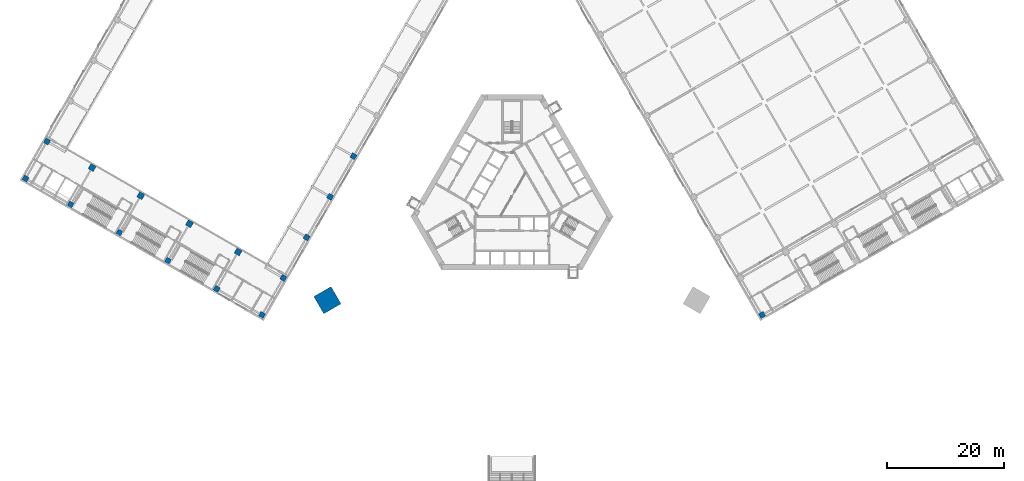
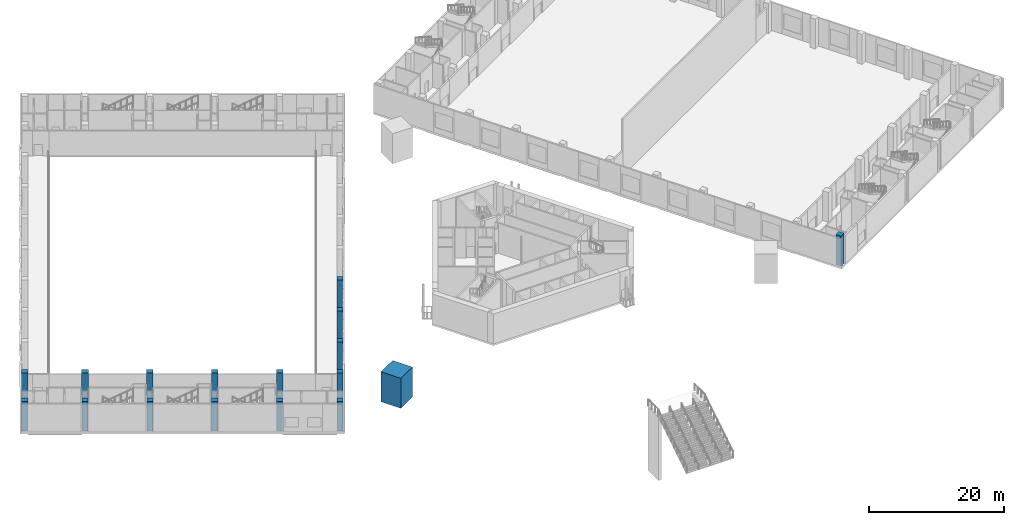
# One storey, part 1 of 35: 17 columns.
"""IFC4 building model written with IfcOpenShell, lengths in metres."""

from ifc_helpers import new_model, si_unit, direction, frame, origin, origin_2d, place, context, subcontext, project, spatial, rectangle, extrude, material, material_profile, profile_set, type_object, element, save


model = new_model("IFC4")

# Units and contexts
model_context = context("Model", 3, precision=1e-05, world=origin(), true_north=direction((0.0, 1.0)))
body_context = subcontext(model_context, "Body", "Model", "MODEL_VIEW")
ifc_project = project(units=[si_unit("LENGTHUNIT", "METRE"), si_unit("AREAUNIT", "SQUARE_METRE"), si_unit("VOLUMEUNIT", "CUBIC_METRE"), si_unit("PLANEANGLEUNIT", "RADIAN"), si_unit("MASSUNIT", "GRAM", prefix="KILO")], contexts=[model_context])

# Site, building, storey
site_placement = place(None, origin())
site = spatial("IfcSite", under=ifc_project, at=site_placement, CompositionType="ELEMENT")
building_placement = place(site_placement, origin())
building = spatial("IfcBuilding", under=site, at=building_placement, Name="Mestral Congress Tower", CompositionType="ELEMENT")
storey_placement = place(building_placement, frame((0.0, 0.0, 6.0)))
storey = spatial("IfcBuildingStorey", under=building, at=storey_placement, Name="L01", CompositionType="ELEMENT", Elevation=6.0)

# Columns
ifc_material_1 = material(Name="Concrete C80/95", Category="concrete")
ifc_material_profile_1 = material_profile(ifc_material_1, rectangle(XDim=3.39990234375, YDim=3.39990234375, at=origin_2d()), Name="RC 3400x3400")
ifc_profile_set_1 = profile_set([ifc_material_profile_1], Name="Concrete C80/95")
column_type_1 = type_object("IfcColumnType", Name="Mega column RC 3400x3400 C80/95", PredefinedType="COLUMN", material=ifc_profile_set_1)
column_placement = place(storey_placement, frame((-31.5224609375, -18.199462890625, 0.0), z_axis=(0.0, 0.0, 1.0), x_axis=(-0.866025403784, -0.5, 0.0)))
element("IfcColumn", 1, at=column_placement, inside=storey, type_object=column_type_1, Name="COL-L01-PY1-SW", PredefinedType="COLUMN", context=body_context, shape_type="SweptSolid", body=[
    extrude(rectangle(XDim=3.39990234375, YDim=3.39990234375, at=origin_2d()), origin(), (0.0, 0.0, 1.0), 5.39990234375),
])
ifc_material_2 = material(Name="Concrete C60/75", Category="concrete")
ifc_material_profile_2 = material_profile(ifc_material_2, rectangle(XDim=1.0, YDim=1.0, at=origin_2d()), Name="RC 1000x1000")
ifc_profile_set_2 = profile_set([ifc_material_profile_2], Name="Concrete C60/75")
column_type_2 = type_object("IfcColumnType", Name="Podium column RC 1000x1000 C60/75", PredefinedType="COLUMN", material=ifc_profile_set_2)
for number, where, z_axis, x_axis, name in (
    (2, (-46.76806640625, -9.94873046875, 0.0), (0.0, 0.0, 1.0), (-0.5, -0.866025403784, 0.0), "COL-L01-PC-W-10B"),
    (3, (-55.08203125, -5.148681640625, 0.0), (0.0, 0.0, 1.0), (-0.5, -0.866025403784, 0.0), "COL-L01-PC-W-10C"),
    (4, (-63.395751953125, -0.348876953125, 0.0), (0.0, 0.0, 1.0), (-0.5, -0.866025403784, 0.0), "COL-L01-PC-W-10D"),
    (5, (-71.709716796875, 4.451171875, 0.0), (0.0, 0.0, 1.0), (-0.5, -0.866025403784, 0.0), "COL-L01-PC-W-10E"),
):
    element("IfcColumn", number, at=place(storey_placement, frame(where, z_axis=z_axis, x_axis=x_axis)), inside=storey, type_object=column_type_2, Name=name, PredefinedType="COLUMN", context=body_context, shape_type="SweptSolid", body=[
        extrude(rectangle(XDim=1.0, YDim=1.0, at=origin_2d()), origin(), (0.0, 0.0, 1.0), 5.39990234375),
    ])
ifc_material_3 = material(Name="Concrete C50/60", Category="concrete")
ifc_material_profile_3 = material_profile(ifc_material_3, rectangle(XDim=0.89990234375, YDim=0.89990234375, at=origin_2d()), Name="RC 900x900")
ifc_profile_set_3 = profile_set([ifc_material_profile_3], Name="Concrete C50/60")
column_type_3 = type_object("IfcColumnType", Name="Podium column RC 900x900 C50/60", PredefinedType="COLUMN", material=ifc_profile_set_3)
for number, where, z_axis, x_axis, name in (
    (6, (42.71044921875, -20.720703125, 0.0), (0.0, 0.0, 1.0), (-0.5, 0.866025403784, 0.0), "COL-L01-PC-E-01A"),
    (7, (-27.060546875, 6.3857421875, 0.0), (0.0, 0.0, 1.0), (-0.5, -0.866025403784, 0.0), "COL-L01-PC-W-07A"),
    (8, (-31.060546875, -0.54248046875, 0.0), (0.0, 0.0, 1.0), (-0.5, -0.866025403784, 0.0), "COL-L01-PC-W-08A"),
    (9, (-35.060546875, -7.470703125, 0.0), (0.0, 0.0, 1.0), (-0.5, -0.866025403784, 0.0), "COL-L01-PC-W-09A"),
    (10, (-39.060546875, -14.398681640625, 0.0), (0.0, 0.0, 1.0), (-0.5, -0.866025403784, 0.0), "COL-L01-PC-W-10A"),
    (11, (-79.417236328125, 8.901123046875, 0.0), (0.0, 0.0, 1.0), (-0.5, -0.866025403784, 0.0), "COL-L01-PC-W-10F"),
    (12, (-42.71044921875, -20.720703125, 0.0), (0.0, 0.0, 1.0), (-0.5, -0.866025403784, 0.0), "COL-L01-PC-W-11A"),
    (13, (-50.418212890625, -16.270751953125, 0.0), (0.0, 0.0, 1.0), (-0.5, -0.866025403784, 0.0), "COL-L01-PC-W-11B"),
    (14, (-58.73193359375, -11.470703125, 0.0), (0.0, 0.0, 1.0), (-0.5, -0.866025403784, 0.0), "COL-L01-PC-W-11C"),
    (15, (-67.0458984375, -6.6708984375, 0.0), (0.0, 0.0, 1.0), (-0.5, -0.866025403784, 0.0), "COL-L01-PC-W-11D"),
    (16, (-75.359619140625, -1.870849609375, 0.0), (0.0, 0.0, 1.0), (-0.5, -0.866025403784, 0.0), "COL-L01-PC-W-11E"),
    (17, (-83.0673828125, 2.5791015625, 0.0), (0.0, 0.0, 1.0), (-0.5, -0.866025403784, 0.0), "COL-L01-PC-W-11F"),
):
    element("IfcColumn", number, at=place(storey_placement, frame(where, z_axis=z_axis, x_axis=x_axis)), inside=storey, type_object=column_type_3, Name=name, PredefinedType="COLUMN", context=body_context, shape_type="SweptSolid", body=[
        extrude(rectangle(XDim=0.89990234375, YDim=0.89990234375, at=origin_2d()), origin(), (0.0, 0.0, 1.0), 5.39990234375),
    ])

save(model, "model.ifc")
